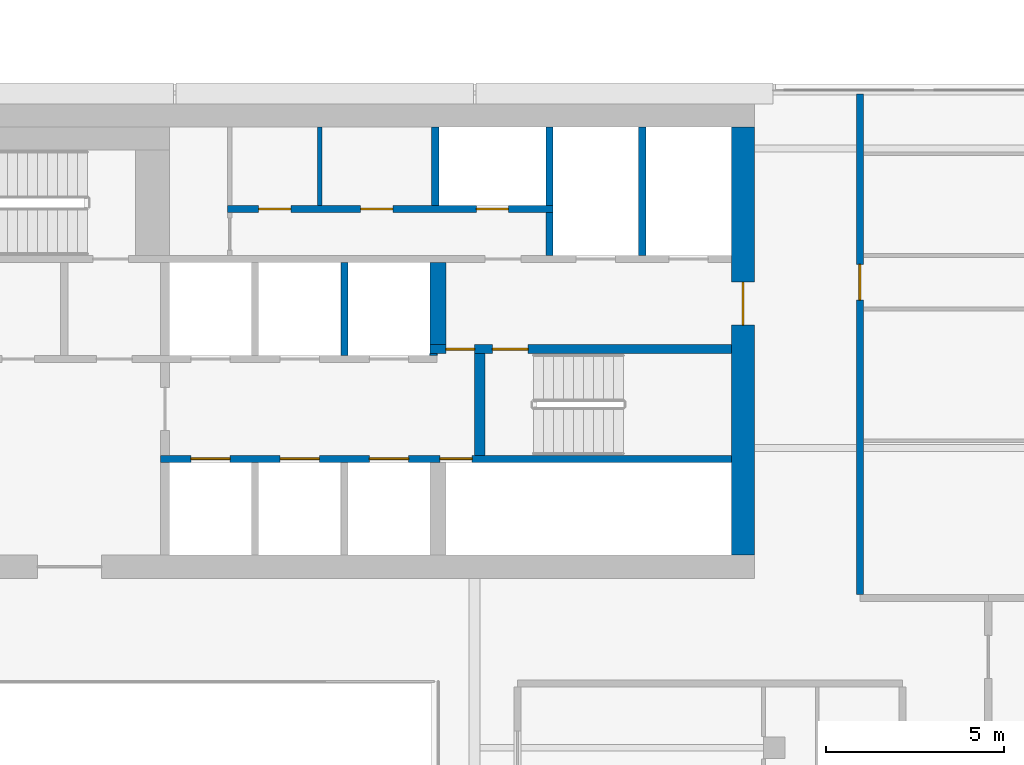
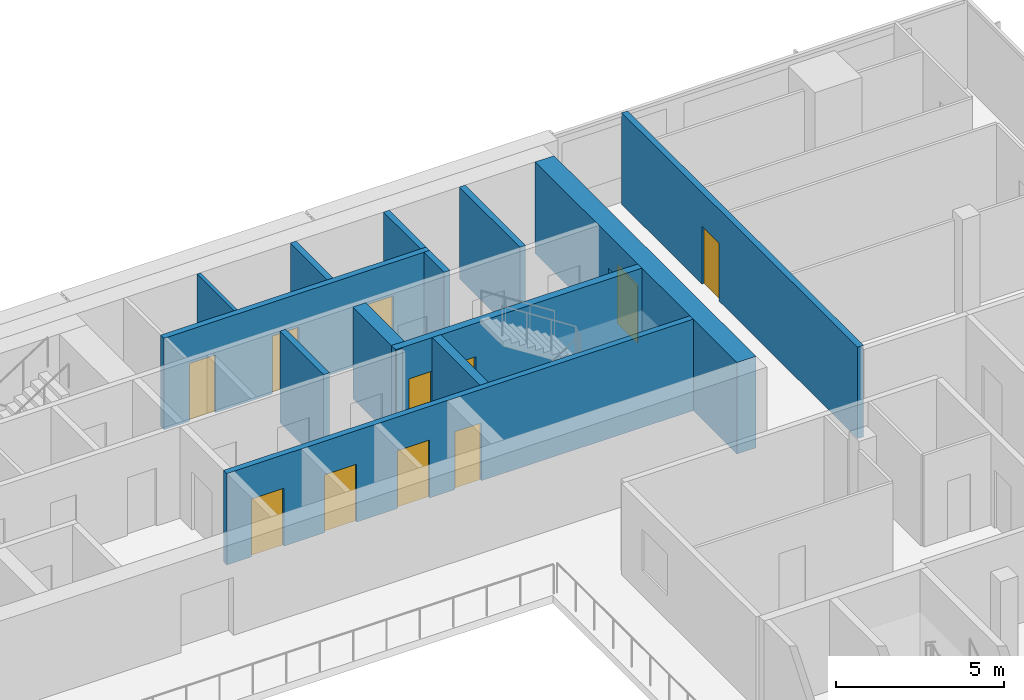
# One storey, part 22 of 27: 14 walls, 11 doors, 11 openings.
"""IFC4 building model written with IfcOpenShell, lengths in metres."""

from ifc_helpers import new_model, si_unit, direction, frame, frame_2d, origin, place, context, subcontext, project, spatial, rectangle, extrude, material, layer, layer_set, type_object, element, fill, save


model = new_model("IFC4")

# Units and contexts
model_context = context("Model", 3, precision=1e-05, world=origin(), true_north=direction((0.0, 1.0)))
body_context = subcontext(model_context, "Body", "Model", "MODEL_VIEW")
ifc_project = project(units=[si_unit("LENGTHUNIT", "METRE"), si_unit("AREAUNIT", "SQUARE_METRE"), si_unit("VOLUMEUNIT", "CUBIC_METRE"), si_unit("PLANEANGLEUNIT", "RADIAN"), si_unit("MASSUNIT", "GRAM", prefix="KILO")], contexts=[model_context])

# Site, building, storey
site_placement = place(None, origin())
site = spatial("IfcSite", under=ifc_project, at=site_placement, CompositionType="ELEMENT")
building_placement = place(site_placement, origin())
building = spatial("IfcBuilding", under=site, at=building_placement, Name="Saffron Gate Tower", CompositionType="ELEMENT")
storey_placement = place(building_placement, frame((0.0, 0.0, 212.699951171875)))
storey = spatial("IfcBuildingStorey", under=building, at=storey_placement, Name="L51", CompositionType="ELEMENT", Elevation=212.699951171875)

# Wall, openings, doors
ifc_material_1 = material(Name="Concrete C60", Category="concrete")
ifc_layer_1 = layer(ifc_material_1, 0.25)
ifc_layer_set_1 = layer_set([ifc_layer_1], Name="CW14 RC core wall 250 C60")
wall_type_1 = type_object("IfcWallType", Name="CW14 RC core wall 250 C60", PredefinedType="SOLIDWALL", material=ifc_layer_set_1)
wall_1_placement = place(storey_placement, frame((98.949951171875, 68.175048828125, 0.0), z_axis=(0.0, 0.0, 1.0), x_axis=(1.0, 0.0, 0.0)))
wall_1 = element("IfcWall", 1, at=wall_1_placement, inside=storey, type_object=wall_type_1, Name="Wall CW14-L51-28", PredefinedType="SOLIDWALL", context=body_context, shape_type="SweptSolid", body=[
    extrude(rectangle(XDim=8.449951171875, YDim=0.25, at=frame_2d((4.22509765625, 0.0))), origin(), (0.0, 0.0, 1.0), 3.320068359375),
])
opening_1_placement = place(wall_1_placement, frame((0.449951171875, 0.0, 0.0)))
opening_1 = element("IfcOpeningElement", 2, at=opening_1_placement, cuts=wall_1, Name="Opening CR-05", PredefinedType="OPENING", context=body_context, shape_type="SweptSolid", body=[
    extrude(rectangle(XDim=0.800048828125, YDim=2.10009765625, at=frame_2d((0.39990234375, 1.050048828125))), frame((0.0, 0.135009765625, 0.0), z_axis=(0.0, -1.0, 0.0), x_axis=(1.0, 0.0, 0.0)), (0.0, 0.0, 1.0), 0.27001953125),
])
opening_2_placement = place(wall_1_placement, frame((1.75, 0.0, 0.0)))
opening_2 = element("IfcOpeningElement", 3, at=opening_2_placement, cuts=wall_1, Name="Opening CR-16", PredefinedType="OPENING", context=body_context, shape_type="SweptSolid", body=[
    extrude(rectangle(XDim=1.0, YDim=2.10009765625, at=frame_2d((0.5, 1.050048828125))), frame((0.0, 0.135009765625, 0.0), z_axis=(0.0, -1.0, 0.0), x_axis=(1.0, 0.0, 0.0)), (0.0, 0.0, 1.0), 0.27001953125),
])
ifc_material_2 = material(Name="Steel fire door set", Category="steel")
door_type_1 = type_object("IfcDoorType", Name="CD5 Stair door 1000x2100 EI 120", OperationType="NOTDEFINED", PredefinedType="DOOR", material=ifc_material_2)
door_1_placement = place(opening_2_placement, origin())
door_1 = element("IfcDoor", 4, at=door_1_placement, inside=storey, type_object=door_type_1, Name="DOOR CR-16", OperationType="SINGLE_SWING_RIGHT", OverallHeight=2.10009765625, OverallWidth=1.0, PredefinedType="DOOR", context=body_context, shape_type="SweptSolid", body=[
    extrude(rectangle(XDim=1.0, YDim=2.10009765625, at=frame_2d((0.5, 1.050048828125))), frame((0.0, 0.02490234375, 0.0), z_axis=(0.0, -1.0, 0.0), x_axis=(1.0, 0.0, 0.0)), (0.0, 0.0, 1.0), 0.050048828125),
])
fill(opening_2, door_1)
door_type_2 = type_object("IfcDoorType", Name="CD6 Lobby door 800x2100 EI 120", OperationType="NOTDEFINED", PredefinedType="DOOR", material=ifc_material_2)
door_2_placement = place(opening_1_placement, origin())
door_2 = element("IfcDoor", 5, at=door_2_placement, inside=storey, type_object=door_type_2, Name="DOOR CR-05", OperationType="SINGLE_SWING_LEFT", OverallHeight=2.10009765625, OverallWidth=0.800048828125, PredefinedType="DOOR", context=body_context, shape_type="SweptSolid", body=[
    extrude(rectangle(XDim=0.800048828125, YDim=2.10009765625, at=frame_2d((0.39990234375, 1.050048828125))), frame((0.0, 0.02490234375, 0.0), z_axis=(0.0, -1.0, 0.0), x_axis=(1.0, 0.0, 0.0)), (0.0, 0.0, 1.0), 0.050048828125),
])
fill(opening_1, door_2)

ifc_layer_2 = layer(ifc_material_1, 0.199951171875)
ifc_layer_set_2 = layer_set([ifc_layer_2], Name="CW15 RC core wall 200 C60")
wall_type_2 = type_object("IfcWallType", Name="CW15 RC core wall 200 C60", PredefinedType="SOLIDWALL", material=ifc_layer_set_2)
wall_2_placement = place(storey_placement, frame((91.39990234375, 65.10009765625, 0.0), z_axis=(0.0, 0.0, 1.0), x_axis=(1.0, 0.0, 0.0)))
wall_2 = element("IfcWall", 6, at=wall_2_placement, inside=storey, type_object=wall_type_2, Name="Wall CW15-L51-13", PredefinedType="SOLIDWALL", context=body_context, shape_type="SweptSolid", body=[
    extrude(rectangle(XDim=16.0, YDim=0.199951171875, at=frame_2d((8.0, 0.0))), origin(), (0.0, 0.0, 1.0), 3.320068359375),
])
opening_3_placement = place(wall_2_placement, frame((0.85009765625, 0.0, 0.0)))
opening_3 = element("IfcOpeningElement", 7, at=opening_3_placement, cuts=wall_2, Name="Opening LD-HR1", PredefinedType="OPENING", context=body_context, shape_type="SweptSolid", body=[
    extrude(rectangle(XDim=1.10009765625, YDim=2.10009765625, at=frame_2d((0.550048828125, 1.050048828125))), frame((0.0, 0.10986328125, 0.0), z_axis=(0.0, -1.0, 0.0), x_axis=(1.0, 0.0, 0.0)), (0.0, 0.0, 1.0), 0.219970703125),
])
opening_4_placement = place(wall_2_placement, frame((3.35009765625, 0.0, 0.0)))
opening_4 = element("IfcOpeningElement", 8, at=opening_4_placement, cuts=wall_2, Name="Opening LD-HR2", PredefinedType="OPENING", context=body_context, shape_type="SweptSolid", body=[
    extrude(rectangle(XDim=1.10009765625, YDim=2.10009765625, at=frame_2d((0.550048828125, 1.050048828125))), frame((0.0, 0.10986328125, 0.0), z_axis=(0.0, -1.0, 0.0), x_axis=(1.0, 0.0, 0.0)), (0.0, 0.0, 1.0), 0.219970703125),
])
opening_5_placement = place(wall_2_placement, frame((5.85009765625, 0.0, 0.0)))
opening_5 = element("IfcOpeningElement", 9, at=opening_5_placement, cuts=wall_2, Name="Opening LD-HR3", PredefinedType="OPENING", context=body_context, shape_type="SweptSolid", body=[
    extrude(rectangle(XDim=1.10009765625, YDim=2.10009765625, at=frame_2d((0.550048828125, 1.050048828125))), frame((0.0, 0.10986328125, 0.0), z_axis=(0.0, -1.0, 0.0), x_axis=(1.0, 0.0, 0.0)), (0.0, 0.0, 1.0), 0.219970703125),
])
opening_6_placement = place(wall_2_placement, frame((7.830078125, 0.0, 0.0)))
opening_6 = element("IfcOpeningElement", 10, at=opening_6_placement, cuts=wall_2, Name="Opening CR-48", PredefinedType="OPENING", context=body_context, shape_type="SweptSolid", body=[
    extrude(rectangle(XDim=0.89990234375, YDim=2.10009765625, at=frame_2d((0.449951171875, 1.050048828125))), frame((0.0, 0.10986328125, 0.0), z_axis=(0.0, -1.0, 0.0), x_axis=(1.0, 0.0, 0.0)), (0.0, 0.0, 1.0), 0.219970703125),
])
door_type_3 = type_object("IfcDoorType", Name="CD2 Riser door 900x2100 EI 60", OperationType="NOTDEFINED", PredefinedType="DOOR", material=ifc_material_2)
door_3_placement = place(opening_6_placement, origin())
door_3 = element("IfcDoor", 11, at=door_3_placement, inside=storey, type_object=door_type_3, Name="DOOR CR-48", OperationType="SINGLE_SWING_RIGHT", OverallHeight=2.10009765625, OverallWidth=0.89990234375, PredefinedType="DOOR", context=body_context, shape_type="SweptSolid", body=[
    extrude(rectangle(XDim=0.89990234375, YDim=2.10009765625, at=frame_2d((0.449951171875, 1.050048828125))), frame((0.0, 0.02490234375, 0.0), z_axis=(0.0, -1.0, 0.0), x_axis=(1.0, 0.0, 0.0)), (0.0, 0.0, 1.0), 0.050048828125),
])
fill(opening_6, door_3)
ifc_material_3 = material(Name="Stainless steel landing door", Category="steel")
door_type_4 = type_object("IfcDoorType", Name="LD Lift landing door 1100x2100 EI 120", OperationType="SLIDING_TO_LEFT", PredefinedType="DOOR", material=ifc_material_3)
door_4_placement = place(opening_3_placement, origin())
door_4 = element("IfcDoor", 12, at=door_4_placement, inside=storey, type_object=door_type_4, Name="LANDING DOOR LD-HR1", OperationType="SLIDING_TO_LEFT", OverallHeight=2.10009765625, OverallWidth=1.10009765625, PredefinedType="DOOR", context=body_context, shape_type="SweptSolid", body=[
    extrude(rectangle(XDim=1.10009765625, YDim=2.10009765625, at=frame_2d((0.550048828125, 1.050048828125))), frame((0.0, 0.02490234375, 0.0), z_axis=(0.0, -1.0, 0.0), x_axis=(1.0, 0.0, 0.0)), (0.0, 0.0, 1.0), 0.050048828125),
])
fill(opening_3, door_4)
door_5_placement = place(opening_4_placement, origin())
door_5 = element("IfcDoor", 13, at=door_5_placement, inside=storey, type_object=door_type_4, Name="LANDING DOOR LD-HR2", OperationType="SLIDING_TO_LEFT", OverallHeight=2.10009765625, OverallWidth=1.10009765625, PredefinedType="DOOR", context=body_context, shape_type="SweptSolid", body=[
    extrude(rectangle(XDim=1.10009765625, YDim=2.10009765625, at=frame_2d((0.550048828125, 1.050048828125))), frame((0.0, 0.02490234375, 0.0), z_axis=(0.0, -1.0, 0.0), x_axis=(1.0, 0.0, 0.0)), (0.0, 0.0, 1.0), 0.050048828125),
])
fill(opening_4, door_5)
door_6_placement = place(opening_5_placement, origin())
door_6 = element("IfcDoor", 14, at=door_6_placement, inside=storey, type_object=door_type_4, Name="LANDING DOOR LD-HR3", OperationType="SLIDING_TO_LEFT", OverallHeight=2.10009765625, OverallWidth=1.10009765625, PredefinedType="DOOR", context=body_context, shape_type="SweptSolid", body=[
    extrude(rectangle(XDim=1.10009765625, YDim=2.10009765625, at=frame_2d((0.550048828125, 1.050048828125))), frame((0.0, 0.02490234375, 0.0), z_axis=(0.0, -1.0, 0.0), x_axis=(1.0, 0.0, 0.0)), (0.0, 0.0, 1.0), 0.050048828125),
])
fill(opening_5, door_6)

# Walls
wall_3_placement = place(storey_placement, frame((96.550048828125, 68.0, 0.0), z_axis=(0.0, 0.0, 1.0), x_axis=(0.0, 1.0, 0.0)))
element("IfcWall", 15, at=wall_3_placement, inside=storey, type_object=wall_type_2, Name="Wall CW15-L51-25", PredefinedType="SOLIDWALL", context=body_context, shape_type="SweptSolid", body=[
    extrude(rectangle(XDim=2.60009765625, YDim=0.199951171875, at=frame_2d((1.300048828125, 0.0))), origin(), (0.0, 0.0, 1.0), 3.320068359375),
])
wall_4_placement = place(storey_placement, frame((102.300048828125, 70.800048828125, 0.0), z_axis=(0.0, 0.0, 1.0), x_axis=(0.0, 1.0, 0.0)))
element("IfcWall", 16, at=wall_4_placement, inside=storey, type_object=wall_type_2, Name="Wall CW15-L51-38", PredefinedType="SOLIDWALL", context=body_context, shape_type="SweptSolid", body=[
    extrude(rectangle(XDim=1.199951171875, YDim=0.199951171875, at=frame_2d((0.60009765625, 0.0))), origin(), (0.0, 0.0, 1.0), 3.320068359375),
])
wall_5_placement = place(storey_placement, frame((104.89990234375, 70.800048828125, 0.0), z_axis=(0.0, 0.0, 1.0), x_axis=(0.0, 1.0, 0.0)))
element("IfcWall", 17, at=wall_5_placement, inside=storey, type_object=wall_type_2, Name="Wall CW15-L51-39", PredefinedType="SOLIDWALL", context=body_context, shape_type="SweptSolid", body=[
    extrude(rectangle(XDim=3.599853515625, YDim=0.199951171875, at=frame_2d((1.7998046875, 0.0))), origin(), (0.0, 0.0, 1.0), 3.320068359375),
])

# Wall, openings, doors
wall_6_placement = place(storey_placement, frame((93.280029296875, 72.10009765625, 0.0), z_axis=(0.0, 0.0, 1.0), x_axis=(1.0, 0.0, 0.0)))
wall_6 = element("IfcWall", 18, at=wall_6_placement, inside=storey, type_object=wall_type_2, Name="Wall CW15-L51-41", PredefinedType="SOLIDWALL", context=body_context, shape_type="SweptSolid", body=[
    extrude(rectangle(XDim=9.119873046875, YDim=0.199951171875, at=frame_2d((4.56005859375, 0.0))), origin(), (0.0, 0.0, 1.0), 3.320068359375),
])
opening_7_placement = place(wall_6_placement, frame((0.8701171875, 0.0, 0.0)))
opening_7 = element("IfcOpeningElement", 19, at=opening_7_placement, cuts=wall_6, Name="Opening CR-50", PredefinedType="OPENING", context=body_context, shape_type="SweptSolid", body=[
    extrude(rectangle(XDim=0.89990234375, YDim=2.10009765625, at=frame_2d((0.449951171875, 1.050048828125))), frame((0.0, 0.10986328125, 0.0), z_axis=(0.0, -1.0, 0.0), x_axis=(1.0, 0.0, 0.0)), (0.0, 0.0, 1.0), 0.219970703125),
])
opening_8_placement = place(wall_6_placement, frame((3.72998046875, 0.0, 0.0)))
opening_8 = element("IfcOpeningElement", 20, at=opening_8_placement, cuts=wall_6, Name="Opening CR-53", PredefinedType="OPENING", context=body_context, shape_type="SweptSolid", body=[
    extrude(rectangle(XDim=0.89990234375, YDim=2.10009765625, at=frame_2d((0.449951171875, 1.050048828125))), frame((0.0, 0.10986328125, 0.0), z_axis=(0.0, -1.0, 0.0), x_axis=(1.0, 0.0, 0.0)), (0.0, 0.0, 1.0), 0.219970703125),
])
opening_9_placement = place(wall_6_placement, frame((6.969970703125, 0.0, 0.0)))
opening_9 = element("IfcOpeningElement", 21, at=opening_9_placement, cuts=wall_6, Name="Opening CR-70", PredefinedType="OPENING", context=body_context, shape_type="SweptSolid", body=[
    extrude(rectangle(XDim=0.89990234375, YDim=2.10009765625, at=frame_2d((0.449951171875, 1.050048828125))), frame((0.0, 0.10986328125, 0.0), z_axis=(0.0, -1.0, 0.0), x_axis=(1.0, 0.0, 0.0)), (0.0, 0.0, 1.0), 0.219970703125),
])
door_7_placement = place(opening_9_placement, origin())
door_7 = element("IfcDoor", 22, at=door_7_placement, inside=storey, type_object=door_type_3, Name="DOOR CR-70", OperationType="SINGLE_SWING_LEFT", OverallHeight=2.10009765625, OverallWidth=0.89990234375, PredefinedType="DOOR", context=body_context, shape_type="SweptSolid", body=[
    extrude(rectangle(XDim=0.89990234375, YDim=2.10009765625, at=frame_2d((0.449951171875, 1.050048828125))), frame((0.0, 0.02490234375, 0.0), z_axis=(0.0, -1.0, 0.0), x_axis=(1.0, 0.0, 0.0)), (0.0, 0.0, 1.0), 0.050048828125),
])
fill(opening_9, door_7)
door_type_5 = type_object("IfcDoorType", Name="CD9 Room door 900x2100 EI 60", OperationType="NOTDEFINED", PredefinedType="DOOR", material=ifc_material_2)
door_8_placement = place(opening_7_placement, origin())
door_8 = element("IfcDoor", 23, at=door_8_placement, inside=storey, type_object=door_type_5, Name="DOOR CR-50", OperationType="SINGLE_SWING_LEFT", OverallHeight=2.10009765625, OverallWidth=0.89990234375, PredefinedType="DOOR", context=body_context, shape_type="SweptSolid", body=[
    extrude(rectangle(XDim=0.89990234375, YDim=2.10009765625, at=frame_2d((0.449951171875, 1.050048828125))), frame((0.0, 0.02490234375, 0.0), z_axis=(0.0, -1.0, 0.0), x_axis=(1.0, 0.0, 0.0)), (0.0, 0.0, 1.0), 0.050048828125),
])
fill(opening_7, door_8)
door_9_placement = place(opening_8_placement, origin())
door_9 = element("IfcDoor", 24, at=door_9_placement, inside=storey, type_object=door_type_5, Name="DOOR CR-53", OperationType="SINGLE_SWING_LEFT", OverallHeight=2.10009765625, OverallWidth=0.89990234375, PredefinedType="DOOR", context=body_context, shape_type="SweptSolid", body=[
    extrude(rectangle(XDim=0.89990234375, YDim=2.10009765625, at=frame_2d((0.449951171875, 1.050048828125))), frame((0.0, 0.02490234375, 0.0), z_axis=(0.0, -1.0, 0.0), x_axis=(1.0, 0.0, 0.0)), (0.0, 0.0, 1.0), 0.050048828125),
])
fill(opening_8, door_9)

# Walls
for number, where, z_axis, x_axis, name in (
    (25, (99.10009765625, 72.199951171875, 0.0), (0.0, 0.0, 1.0), (0.0, 1.0, 0.0), "Wall CW15-L51-48"),
    (26, (102.300048828125, 72.199951171875, 0.0), (0.0, 0.0, 1.0), (0.0, 1.0, 0.0), "Wall CW15-L51-49"),
):
    element("IfcWall", number, at=place(storey_placement, frame(where, z_axis=z_axis, x_axis=x_axis)), inside=storey, type_object=wall_type_2, Name=name, PredefinedType="SOLIDWALL", context=body_context, shape_type="SweptSolid", body=[
        extrude(rectangle(XDim=2.199951171875, YDim=0.199951171875, at=frame_2d((1.10009765625, 0.0))), origin(), (0.0, 0.0, 1.0), 3.320068359375),
    ])
ifc_layer_3 = layer(ifc_material_1, 0.449951171875)
ifc_layer_set_3 = layer_set([ifc_layer_3], Name="CW16 RC core wall 450 C60")
wall_type_3 = type_object("IfcWallType", Name="CW16 RC core wall 450 C60", PredefinedType="SOLIDWALL", material=ifc_layer_set_3)
wall_7_placement = place(storey_placement, frame((99.175048828125, 68.300048828125, 0.0), z_axis=(0.0, 0.0, 1.0), x_axis=(0.0, 1.0, 0.0)))
element("IfcWall", 27, at=wall_7_placement, inside=storey, type_object=wall_type_3, Name="Wall CW16-L51-30", PredefinedType="SOLIDWALL", context=body_context, shape_type="SweptSolid", body=[
    extrude(rectangle(XDim=2.300048828125, YDim=0.449951171875, at=frame_2d((1.14990234375, 0.0))), origin(), (0.0, 0.0, 1.0), 3.320068359375),
])
ifc_layer_4 = layer(ifc_material_1, 0.300048828125)
ifc_layer_set_4 = layer_set([ifc_layer_4], Name="CW17 RC core wall 300 C60")
wall_type_4 = type_object("IfcWallType", Name="CW17 RC core wall 300 C60", PredefinedType="SOLIDWALL", material=ifc_layer_set_4)
wall_8_placement = place(storey_placement, frame((100.35009765625, 65.199951171875, 0.0), z_axis=(0.0, 0.0, 1.0), x_axis=(0.0, 1.0, 0.0)))
element("IfcWall", 28, at=wall_8_placement, inside=storey, type_object=wall_type_4, Name="Wall CW17-L51-17", PredefinedType="SOLIDWALL", context=body_context, shape_type="SweptSolid", body=[
    extrude(rectangle(XDim=2.85009765625, YDim=0.300048828125, at=frame_2d((1.425048828125, 0.0))), origin(), (0.0, 0.0, 1.0), 3.320068359375),
])
ifc_layer_5 = layer(ifc_material_1, 0.050048828125)
ifc_layer_set_5 = layer_set([ifc_layer_5], Name="CW18 RC core wall 50 C60")
wall_type_5 = type_object("IfcWallType", Name="CW18 RC core wall 50 C60", PredefinedType="SOLIDWALL", material=ifc_layer_set_5)
wall_9_placement = place(storey_placement, frame((98.949951171875, 68.02490234375, 0.0), z_axis=(0.0, 0.0, 1.0), x_axis=(1.0, 0.0, 0.0)))
element("IfcWall", 29, at=wall_9_placement, inside=storey, type_object=wall_type_5, Name="Wall CW18-L51-26", PredefinedType="SOLIDWALL", context=body_context, shape_type="SweptSolid", body=[
    extrude(rectangle(XDim=0.199951171875, YDim=0.050048828125, at=frame_2d((0.10009765625, 0.0))), origin(), (0.0, 0.0, 1.0), 3.320068359375),
])

# Wall, opening, door
ifc_layer_6 = layer(ifc_material_1, 0.64990234375)
ifc_layer_set_6 = layer_set([ifc_layer_6], Name="CW20 RC core wall 650 C60")
wall_type_6 = type_object("IfcWallType", Name="CW20 RC core wall 650 C60", PredefinedType="SOLIDWALL", material=ifc_layer_set_6)
wall_10_placement = place(storey_placement, frame((107.72509765625, 62.39990234375, 0.0), z_axis=(0.0, 0.0, 1.0), x_axis=(0.0, 1.0, 0.0)))
wall_10 = element("IfcWall", 30, at=wall_10_placement, inside=storey, type_object=wall_type_6, Name="Wall CW20-L51-4", PredefinedType="SOLIDWALL", context=body_context, shape_type="SweptSolid", body=[
    extrude(rectangle(XDim=12.0, YDim=0.64990234375, at=frame_2d((6.0, 0.0))), origin(), (0.0, 0.0, 1.0), 3.320068359375),
])
opening_10_placement = place(wall_10_placement, frame((6.449951171875, 0.0, 0.0)))
opening_10 = element("IfcOpeningElement", 31, at=opening_10_placement, cuts=wall_10, Name="Opening CR-08", PredefinedType="OPENING", context=body_context, shape_type="SweptSolid", body=[
    extrude(rectangle(XDim=1.199951171875, YDim=2.10009765625, at=frame_2d((0.60009765625, 1.050048828125))), frame((0.0, 0.3349609375, 0.0), z_axis=(0.0, -1.0, 0.0), x_axis=(1.0, 0.0, 0.0)), (0.0, 0.0, 1.0), 0.669921875),
])
door_type_6 = type_object("IfcDoorType", Name="CD7 Core entrance door 1200x2100 EI 120", OperationType="NOTDEFINED", PredefinedType="DOOR", material=ifc_material_2)
door_10_placement = place(opening_10_placement, origin())
door_10 = element("IfcDoor", 32, at=door_10_placement, inside=storey, type_object=door_type_6, Name="DOOR CR-08", OperationType="SINGLE_SWING_RIGHT", OverallHeight=2.10009765625, OverallWidth=1.199951171875, PredefinedType="DOOR", context=body_context, shape_type="SweptSolid", body=[
    extrude(rectangle(XDim=1.199951171875, YDim=2.10009765625, at=frame_2d((0.60009765625, 1.050048828125))), frame((0.0, 0.02490234375, 0.0), z_axis=(0.0, -1.0, 0.0), x_axis=(1.0, 0.0, 0.0)), (0.0, 0.0, 1.0), 0.050048828125),
])
fill(opening_10, door_10)

# Wall
ifc_material_4 = material(Name="Gypsum board partition on steel studs", Category="steel")
ifc_layer_7 = layer(ifc_material_4, 0.1201171875)
ifc_layer_set_7 = layer_set([ifc_layer_7], Name="CW8 Core partition 120")
wall_type_7 = type_object("IfcWallType", Name="CW8 Core partition 120", PredefinedType="PARTITIONING", material=ifc_layer_set_7)
wall_11_placement = place(storey_placement, frame((95.860107421875, 72.199951171875, 0.0), z_axis=(0.0, 0.0, 1.0), x_axis=(0.0, 1.0, 0.0)))
element("IfcWall", 33, at=wall_11_placement, inside=storey, type_object=wall_type_7, Name="Wall CW8-L51-47", PredefinedType="PARTITIONING", context=body_context, shape_type="SweptSolid", body=[
    extrude(rectangle(XDim=2.199951171875, YDim=0.1201171875, at=frame_2d((1.10009765625, 0.0))), origin(), (0.0, 0.0, 1.0), 3.320068359375),
])

# Wall, opening, door
ifc_material_5 = material(Name="Clay brick masonry, rendered", Category="masonry")
ifc_layer_8 = layer(ifc_material_5, 0.199951171875)
ifc_layer_set_8 = layer_set([ifc_layer_8], Name="PW3 Corridor wall 200")
wall_type_8 = type_object("IfcWallType", Name="PW3 Corridor wall 200", PredefinedType="PARTITIONING", material=ifc_layer_set_8)
wall_12_placement = place(storey_placement, frame((111.0, 75.320068359375, 0.0), z_axis=(0.0, 0.0, 1.0), x_axis=(0.0, -1.0, 0.0)))
wall_12 = element("IfcWall", 34, at=wall_12_placement, inside=storey, type_object=wall_type_8, Name="Wall D1-90", PredefinedType="PARTITIONING", context=body_context, shape_type="SweptSolid", body=[
    extrude(rectangle(XDim=14.02001953125, YDim=0.199951171875, at=frame_2d((7.010009765625, 0.0))), origin(), (0.0, 0.0, 1.0), 3.320068359375),
])
opening_11_placement = place(wall_12_placement, frame((4.77001953125, 0.0, 0.0)))
opening_11 = element("IfcOpeningElement", 35, at=opening_11_placement, cuts=wall_12, Name="Opening D1-6", PredefinedType="OPENING", context=body_context, shape_type="SweptSolid", body=[
    extrude(rectangle(XDim=1.0, YDim=2.10009765625, at=frame_2d((0.5, 1.050048828125))), frame((0.0, 0.10986328125, 0.0), z_axis=(0.0, -1.0, 0.0), x_axis=(1.0, 0.0, 0.0)), (0.0, 0.0, 1.0), 0.219970703125),
])
ifc_material_6 = material(Name="Timber fire door set", Category="wood")
door_type_7 = type_object("IfcDoorType", Name="FD1 Flat entry door 1000x2100", OperationType="NOTDEFINED", PredefinedType="DOOR", material=ifc_material_6)
door_11_placement = place(opening_11_placement, origin())
door_11 = element("IfcDoor", 36, at=door_11_placement, inside=storey, type_object=door_type_7, Name="Door D1-6", OperationType="SINGLE_SWING_RIGHT", OverallHeight=2.10009765625, OverallWidth=1.0, PredefinedType="DOOR", context=body_context, shape_type="SweptSolid", body=[
    extrude(rectangle(XDim=1.0, YDim=2.10009765625, at=frame_2d((0.5, 1.050048828125))), frame((0.0, 0.02490234375, 0.0), z_axis=(0.0, -1.0, 0.0), x_axis=(1.0, 0.0, 0.0)), (0.0, 0.0, 1.0), 0.050048828125),
])
fill(opening_11, door_11)

save(model, "model.ifc")
